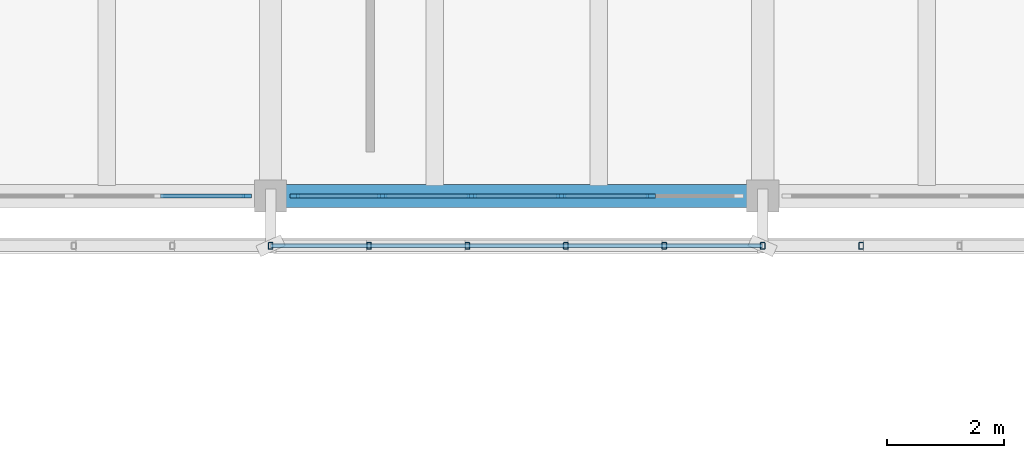
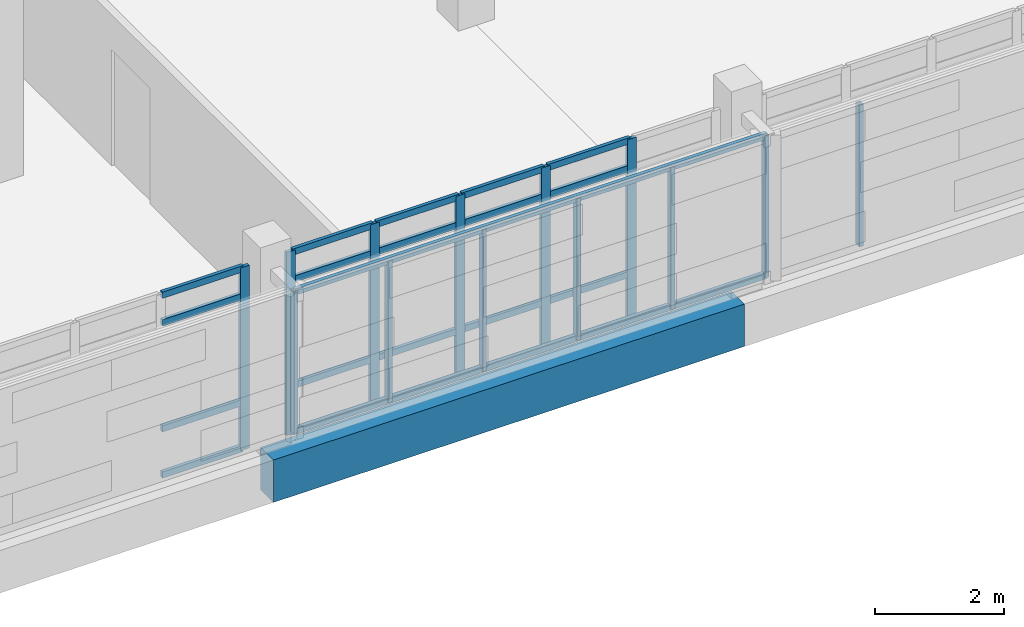
# One storey, part 43 of 117: 35 members, 1 beam, 2 elements without a shape of their own.
"""IFC4 building model written with IfcOpenShell, lengths in metres."""

from ifc_helpers import new_model, si_unit, direction, frame, origin, origin_2d, place, context, subcontext, project, spatial, rectangle, hollow_rectangle, extrude, material, material_profile, profile_set, type_object, element, aggregate, save


model = new_model("IFC4")

# Units and contexts
model_context = context("Model", 3, precision=1e-05, world=origin(), true_north=direction((0.0, 1.0)))
body_context = subcontext(model_context, "Body", "Model", "MODEL_VIEW")
ifc_project = project(units=[si_unit("LENGTHUNIT", "METRE"), si_unit("AREAUNIT", "SQUARE_METRE"), si_unit("VOLUMEUNIT", "CUBIC_METRE"), si_unit("PLANEANGLEUNIT", "RADIAN"), si_unit("MASSUNIT", "GRAM", prefix="KILO")], contexts=[model_context])

# Site, building, storey
site_placement = place(None, origin())
site = spatial("IfcSite", under=ifc_project, at=site_placement, CompositionType="ELEMENT")
building_placement = place(site_placement, origin())
building = spatial("IfcBuilding", under=site, at=building_placement, Name="Cinderway Yard Community Centre", CompositionType="ELEMENT")
storey_placement = place(building_placement, frame((0.0, 0.0, 9.0)))
storey = spatial("IfcBuildingStorey", under=building, at=storey_placement, Name="L02", CompositionType="ELEMENT", Elevation=9.0)

# Curtain wall, member
ifc_material_1 = material(Name="Aluminium 6063-T6", Category="aluminium")
curtain_wall_type = type_object("IfcCurtainWallType", Name="ENV-CW-TYPE-29", PredefinedType="USERDEFINED", material=ifc_material_1)
curtain_wall_1_placement = place(storey_placement, origin())
curtain_wall_1 = element("IfcCurtainWall", 1, at=curtain_wall_1_placement, inside=storey, type_object=curtain_wall_type, Name="V4 Courtyard Curtain Wall ENV-CW-L02-ST-0144", ObjectType="GLAZED CURTAIN WALL", PredefinedType="USERDEFINED")
ifc_material_profile_1 = material_profile(ifc_material_1, rectangle(XDim=0.06005859375, YDim=0.159912109375, at=origin_2d()), Name="Aluminium 6063-T6")
ifc_profile_set_1 = profile_set([ifc_material_profile_1], Name="Aluminium 6063-T6")
member_type_1 = type_object("IfcMemberType", Name="ENV-CW-MULL-150", PredefinedType="MULLION", material=ifc_profile_set_1)
member_1_placement = place(storey_placement, frame((57.989990234375, 90.0, 0.0), z_axis=(0.0, 0.0, 1.0), x_axis=(0.0, 1.0, 0.0)))
member_1 = element("IfcMember", 2, at=member_1_placement, type_object=member_type_1, Name="CW-29 mullion 6", PredefinedType="MULLION", context=body_context, shape_type="SweptSolid", body=[
    extrude(rectangle(XDim=0.06005859375, YDim=0.159912109375, at=origin_2d()), origin(), (0.0, 0.0, 1.0), 3.449951171875),
])

# Curtain wall, members
curtain_wall_2_placement = place(storey_placement, origin())
curtain_wall_2 = element("IfcCurtainWall", 3, at=curtain_wall_2_placement, inside=storey, type_object=curtain_wall_type, Name="V4 Courtyard Curtain Wall ENV-CW-L02-ST-0146", ObjectType="GLAZED CURTAIN WALL", PredefinedType="USERDEFINED")
member_2_placement = place(storey_placement, frame((58.81005859375, 90.0, 0.0), z_axis=(0.0, 0.0, 1.0), x_axis=(0.0, 1.0, 0.0)))
member_2 = element("IfcMember", 4, at=member_2_placement, type_object=member_type_1, Name="CW-29 mullion 1", PredefinedType="MULLION", context=body_context, shape_type="SweptSolid", body=[
    extrude(rectangle(XDim=0.06005859375, YDim=0.159912109375, at=origin_2d()), origin(), (0.0, 0.0, 1.0), 3.449951171875),
])
member_3_placement = place(storey_placement, frame((60.30810546875, 90.0, 0.0), z_axis=(0.0, 0.0, 1.0), x_axis=(0.0, 1.0, 0.0)))
member_3 = element("IfcMember", 5, at=member_3_placement, type_object=member_type_1, Name="CW-29 mullion 2", PredefinedType="MULLION", context=body_context, shape_type="SweptSolid", body=[
    extrude(rectangle(XDim=0.06005859375, YDim=0.159912109375, at=origin_2d()), origin(), (0.0, 0.0, 1.0), 3.449951171875),
])
member_4_placement = place(storey_placement, frame((61.8359375, 90.0, 0.0), z_axis=(0.0, 0.0, 1.0), x_axis=(0.0, 1.0, 0.0)))
member_4 = element("IfcMember", 6, at=member_4_placement, type_object=member_type_1, Name="CW-29 mullion 3", PredefinedType="MULLION", context=body_context, shape_type="SweptSolid", body=[
    extrude(rectangle(XDim=0.06005859375, YDim=0.159912109375, at=origin_2d()), origin(), (0.0, 0.0, 1.0), 3.449951171875),
])
member_5_placement = place(storey_placement, frame((63.364013671875, 90.0, 0.0), z_axis=(0.0, 0.0, 1.0), x_axis=(0.0, 1.0, 0.0)))
member_5 = element("IfcMember", 7, at=member_5_placement, type_object=member_type_1, Name="CW-29 mullion 4", PredefinedType="MULLION", context=body_context, shape_type="SweptSolid", body=[
    extrude(rectangle(XDim=0.06005859375, YDim=0.159912109375, at=origin_2d()), origin(), (0.0, 0.0, 1.0), 3.449951171875),
])
member_6_placement = place(storey_placement, frame((64.89208984375, 90.0, 0.0), z_axis=(0.0, 0.0, 1.0), x_axis=(0.0, 1.0, 0.0)))
member_6 = element("IfcMember", 8, at=member_6_placement, type_object=member_type_1, Name="CW-29 mullion 5", PredefinedType="MULLION", context=body_context, shape_type="SweptSolid", body=[
    extrude(rectangle(XDim=0.06005859375, YDim=0.159912109375, at=origin_2d()), origin(), (0.0, 0.0, 1.0), 3.449951171875),
])

# Member
ifc_material_profile_2 = material_profile(ifc_material_1, rectangle(XDim=0.06005859375, YDim=0.1201171875, at=origin_2d()), Name="Aluminium 6063-T6")
ifc_profile_set_2 = profile_set([ifc_material_profile_2], Name="Aluminium 6063-T6")
member_type_2 = type_object("IfcMemberType", Name="ENV-CW-TRAN-110", PredefinedType="USERDEFINED", material=ifc_profile_set_2)
member_7_placement = place(storey_placement, frame((56.52197265625, 90.0, 0.030029296875), z_axis=(1.0, 0.0, 0.0), x_axis=(0.0, 1.0, 0.0)))
member_7 = element("IfcMember", 9, at=member_7_placement, type_object=member_type_2, Name="CW-29 transom 5.1", ObjectType="TRANSOM", PredefinedType="USERDEFINED", context=body_context, shape_type="SweptSolid", body=[
    extrude(rectangle(XDim=0.06005859375, YDim=0.1201171875, at=origin_2d()), origin(), (0.0, 0.0, 1.0), 1.43798828125),
])

member_8_placement = place(storey_placement, frame((56.52197265625, 90.0, 0.89990234375), z_axis=(1.0, 0.0, 0.0), x_axis=(0.0, 1.0, 0.0)))
member_8 = element("IfcMember", 10, at=member_8_placement, type_object=member_type_2, Name="CW-29 transom 5.2", ObjectType="TRANSOM", PredefinedType="USERDEFINED", context=body_context, shape_type="SweptSolid", body=[
    extrude(rectangle(XDim=0.06005859375, YDim=0.1201171875, at=origin_2d()), origin(), (0.0, 0.0, 1.0), 1.43798828125),
])

member_9_placement = place(storey_placement, frame((56.52197265625, 90.0, 2.89990234375), z_axis=(1.0, 0.0, 0.0), x_axis=(0.0, 1.0, 0.0)))
member_9 = element("IfcMember", 11, at=member_9_placement, type_object=member_type_2, Name="CW-29 transom 5.3", ObjectType="TRANSOM", PredefinedType="USERDEFINED", context=body_context, shape_type="SweptSolid", body=[
    extrude(rectangle(XDim=0.06005859375, YDim=0.1201171875, at=origin_2d()), origin(), (0.0, 0.0, 1.0), 1.43798828125),
])

member_10_placement = place(storey_placement, frame((56.52197265625, 90.0, 3.419921875), z_axis=(1.0, 0.0, 0.0), x_axis=(0.0, 1.0, 0.0)))
member_10 = element("IfcMember", 12, at=member_10_placement, type_object=member_type_2, Name="CW-29 transom 5.4", ObjectType="TRANSOM", PredefinedType="USERDEFINED", context=body_context, shape_type="SweptSolid", body=[
    extrude(rectangle(XDim=0.06005859375, YDim=0.1201171875, at=origin_2d()), origin(), (0.0, 0.0, 1.0), 1.43798828125),
])

aggregate(curtain_wall_1, [member_1, member_7, member_8, member_9, member_10])

member_11_placement = place(storey_placement, frame((58.840087890625, 90.0, 0.030029296875), z_axis=(1.0, 0.0, 0.0), x_axis=(0.0, 1.0, 0.0)))
member_11 = element("IfcMember", 13, at=member_11_placement, type_object=member_type_2, Name="CW-29 transom 1.1", ObjectType="TRANSOM", PredefinedType="USERDEFINED", context=body_context, shape_type="SweptSolid", body=[
    extrude(rectangle(XDim=0.06005859375, YDim=0.1201171875, at=origin_2d()), origin(), (0.0, 0.0, 1.0), 1.43798828125),
])

member_12_placement = place(storey_placement, frame((58.840087890625, 90.0, 0.89990234375), z_axis=(1.0, 0.0, 0.0), x_axis=(0.0, 1.0, 0.0)))
member_12 = element("IfcMember", 14, at=member_12_placement, type_object=member_type_2, Name="CW-29 transom 1.2", ObjectType="TRANSOM", PredefinedType="USERDEFINED", context=body_context, shape_type="SweptSolid", body=[
    extrude(rectangle(XDim=0.06005859375, YDim=0.1201171875, at=origin_2d()), origin(), (0.0, 0.0, 1.0), 1.43798828125),
])

member_13_placement = place(storey_placement, frame((58.840087890625, 90.0, 2.89990234375), z_axis=(1.0, 0.0, 0.0), x_axis=(0.0, 1.0, 0.0)))
member_13 = element("IfcMember", 15, at=member_13_placement, type_object=member_type_2, Name="CW-29 transom 1.3", ObjectType="TRANSOM", PredefinedType="USERDEFINED", context=body_context, shape_type="SweptSolid", body=[
    extrude(rectangle(XDim=0.06005859375, YDim=0.1201171875, at=origin_2d()), origin(), (0.0, 0.0, 1.0), 1.43798828125),
])

member_14_placement = place(storey_placement, frame((58.840087890625, 90.0, 3.419921875), z_axis=(1.0, 0.0, 0.0), x_axis=(0.0, 1.0, 0.0)))
member_14 = element("IfcMember", 16, at=member_14_placement, type_object=member_type_2, Name="CW-29 transom 1.4", ObjectType="TRANSOM", PredefinedType="USERDEFINED", context=body_context, shape_type="SweptSolid", body=[
    extrude(rectangle(XDim=0.06005859375, YDim=0.1201171875, at=origin_2d()), origin(), (0.0, 0.0, 1.0), 1.43798828125),
])

member_15_placement = place(storey_placement, frame((60.337890625, 90.0, 0.030029296875), z_axis=(1.0, 0.0, 0.0), x_axis=(0.0, 1.0, 0.0)))
member_15 = element("IfcMember", 17, at=member_15_placement, type_object=member_type_2, Name="CW-29 transom 2.1", ObjectType="TRANSOM", PredefinedType="USERDEFINED", context=body_context, shape_type="SweptSolid", body=[
    extrude(rectangle(XDim=0.06005859375, YDim=0.1201171875, at=origin_2d()), origin(), (0.0, 0.0, 1.0), 1.468017578125),
])

member_16_placement = place(storey_placement, frame((60.337890625, 90.0, 0.89990234375), z_axis=(1.0, 0.0, 0.0), x_axis=(0.0, 1.0, 0.0)))
member_16 = element("IfcMember", 18, at=member_16_placement, type_object=member_type_2, Name="CW-29 transom 2.2", ObjectType="TRANSOM", PredefinedType="USERDEFINED", context=body_context, shape_type="SweptSolid", body=[
    extrude(rectangle(XDim=0.06005859375, YDim=0.1201171875, at=origin_2d()), origin(), (0.0, 0.0, 1.0), 1.468017578125),
])

member_17_placement = place(storey_placement, frame((60.337890625, 90.0, 2.89990234375), z_axis=(1.0, 0.0, 0.0), x_axis=(0.0, 1.0, 0.0)))
member_17 = element("IfcMember", 19, at=member_17_placement, type_object=member_type_2, Name="CW-29 transom 2.3", ObjectType="TRANSOM", PredefinedType="USERDEFINED", context=body_context, shape_type="SweptSolid", body=[
    extrude(rectangle(XDim=0.06005859375, YDim=0.1201171875, at=origin_2d()), origin(), (0.0, 0.0, 1.0), 1.468017578125),
])

member_18_placement = place(storey_placement, frame((60.337890625, 90.0, 3.419921875), z_axis=(1.0, 0.0, 0.0), x_axis=(0.0, 1.0, 0.0)))
member_18 = element("IfcMember", 20, at=member_18_placement, type_object=member_type_2, Name="CW-29 transom 2.4", ObjectType="TRANSOM", PredefinedType="USERDEFINED", context=body_context, shape_type="SweptSolid", body=[
    extrude(rectangle(XDim=0.06005859375, YDim=0.1201171875, at=origin_2d()), origin(), (0.0, 0.0, 1.0), 1.468017578125),
])

member_19_placement = place(storey_placement, frame((61.865966796875, 90.0, 0.030029296875), z_axis=(1.0, 0.0, 0.0), x_axis=(0.0, 1.0, 0.0)))
member_19 = element("IfcMember", 21, at=member_19_placement, type_object=member_type_2, Name="CW-29 transom 3.1", ObjectType="TRANSOM", PredefinedType="USERDEFINED", context=body_context, shape_type="SweptSolid", body=[
    extrude(rectangle(XDim=0.06005859375, YDim=0.1201171875, at=origin_2d()), origin(), (0.0, 0.0, 1.0), 1.468017578125),
])

member_20_placement = place(storey_placement, frame((61.865966796875, 90.0, 0.89990234375), z_axis=(1.0, 0.0, 0.0), x_axis=(0.0, 1.0, 0.0)))
member_20 = element("IfcMember", 22, at=member_20_placement, type_object=member_type_2, Name="CW-29 transom 3.2", ObjectType="TRANSOM", PredefinedType="USERDEFINED", context=body_context, shape_type="SweptSolid", body=[
    extrude(rectangle(XDim=0.06005859375, YDim=0.1201171875, at=origin_2d()), origin(), (0.0, 0.0, 1.0), 1.468017578125),
])

member_21_placement = place(storey_placement, frame((61.865966796875, 90.0, 2.89990234375), z_axis=(1.0, 0.0, 0.0), x_axis=(0.0, 1.0, 0.0)))
member_21 = element("IfcMember", 23, at=member_21_placement, type_object=member_type_2, Name="CW-29 transom 3.3", ObjectType="TRANSOM", PredefinedType="USERDEFINED", context=body_context, shape_type="SweptSolid", body=[
    extrude(rectangle(XDim=0.06005859375, YDim=0.1201171875, at=origin_2d()), origin(), (0.0, 0.0, 1.0), 1.468017578125),
])

member_22_placement = place(storey_placement, frame((61.865966796875, 90.0, 3.419921875), z_axis=(1.0, 0.0, 0.0), x_axis=(0.0, 1.0, 0.0)))
member_22 = element("IfcMember", 24, at=member_22_placement, type_object=member_type_2, Name="CW-29 transom 3.4", ObjectType="TRANSOM", PredefinedType="USERDEFINED", context=body_context, shape_type="SweptSolid", body=[
    extrude(rectangle(XDim=0.06005859375, YDim=0.1201171875, at=origin_2d()), origin(), (0.0, 0.0, 1.0), 1.468017578125),
])

member_23_placement = place(storey_placement, frame((63.39404296875, 90.0, 0.030029296875), z_axis=(1.0, 0.0, 0.0), x_axis=(0.0, 1.0, 0.0)))
member_23 = element("IfcMember", 25, at=member_23_placement, type_object=member_type_2, Name="CW-29 transom 4.1", ObjectType="TRANSOM", PredefinedType="USERDEFINED", context=body_context, shape_type="SweptSolid", body=[
    extrude(rectangle(XDim=0.06005859375, YDim=0.1201171875, at=origin_2d()), origin(), (0.0, 0.0, 1.0), 1.468017578125),
])

member_24_placement = place(storey_placement, frame((63.39404296875, 90.0, 0.89990234375), z_axis=(1.0, 0.0, 0.0), x_axis=(0.0, 1.0, 0.0)))
member_24 = element("IfcMember", 26, at=member_24_placement, type_object=member_type_2, Name="CW-29 transom 4.2", ObjectType="TRANSOM", PredefinedType="USERDEFINED", context=body_context, shape_type="SweptSolid", body=[
    extrude(rectangle(XDim=0.06005859375, YDim=0.1201171875, at=origin_2d()), origin(), (0.0, 0.0, 1.0), 1.468017578125),
])

member_25_placement = place(storey_placement, frame((63.39404296875, 90.0, 2.89990234375), z_axis=(1.0, 0.0, 0.0), x_axis=(0.0, 1.0, 0.0)))
member_25 = element("IfcMember", 27, at=member_25_placement, type_object=member_type_2, Name="CW-29 transom 4.3", ObjectType="TRANSOM", PredefinedType="USERDEFINED", context=body_context, shape_type="SweptSolid", body=[
    extrude(rectangle(XDim=0.06005859375, YDim=0.1201171875, at=origin_2d()), origin(), (0.0, 0.0, 1.0), 1.468017578125),
])

member_26_placement = place(storey_placement, frame((63.39404296875, 90.0, 3.419921875), z_axis=(1.0, 0.0, 0.0), x_axis=(0.0, 1.0, 0.0)))
member_26 = element("IfcMember", 28, at=member_26_placement, type_object=member_type_2, Name="CW-29 transom 4.4", ObjectType="TRANSOM", PredefinedType="USERDEFINED", context=body_context, shape_type="SweptSolid", body=[
    extrude(rectangle(XDim=0.06005859375, YDim=0.1201171875, at=origin_2d()), origin(), (0.0, 0.0, 1.0), 1.468017578125),
])

aggregate(curtain_wall_2, [member_2, member_3, member_4, member_5, member_6, member_11, member_12, member_13, member_14, member_15, member_16, member_17, member_18, member_19, member_20, member_21, member_22, member_23, member_24, member_25, member_26])

# Members
ifc_material_2 = material(Name="Steel S355", Category="steel")
ifc_material_profile_3 = material_profile(ifc_material_2, hollow_rectangle(XDim=0.080078125, YDim=0.1201171875, WallThickness=0.00634765625, InnerFilletRadius=0.00634765625, OuterFilletRadius=0.0126953125, at=origin_2d()), Name="Steel S355")
ifc_profile_set_3 = profile_set([ifc_material_profile_3], Name="Steel S355")
member_type_3 = type_object("IfcMemberType", Name="ENV-MEM-SCREEN-RAIL-120", PredefinedType="STRINGER", material=ifc_profile_set_3)
member_27_placement = place(storey_placement, frame((58.39990234375, 89.14990234375, 0.68994140625), z_axis=(0.0, 0.0, 1.0), x_axis=(1.0, 0.0, 0.0)))
element("IfcMember", 29, at=member_27_placement, inside=storey, type_object=member_type_3, Name="Screen vertical mullion 0429", PredefinedType="STRINGER", context=body_context, shape_type="SweptSolid", body=[
    extrude(hollow_rectangle(XDim=0.080078125, YDim=0.1201171875, WallThickness=0.00634765625, InnerFilletRadius=0.00634765625, OuterFilletRadius=0.0126953125, at=origin_2d()), origin(), (0.0, 0.0, 1.0), 2.670166015625),
])
for number, where, z_axis, x_axis, name in (
    (30, (58.39990234375, 89.14990234375, 0.7099609375), (1.0, 0.0, 0.0), (0.0, 1.0, 0.0), "Screen support rail 0431-BOT"),
    (31, (58.39990234375, 89.14990234375, 3.340087890625), (1.0, 0.0, 0.0), (0.0, 1.0, 0.0), "Screen support rail 0432-TOP"),
):
    element("IfcMember", number, at=place(storey_placement, frame(where, z_axis=z_axis, x_axis=x_axis)), inside=storey, type_object=member_type_3, Name=name, PredefinedType="STRINGER", context=body_context, shape_type="SweptSolid", body=[
        extrude(hollow_rectangle(XDim=0.080078125, YDim=0.1201171875, WallThickness=0.00634765625, InnerFilletRadius=0.00634765625, OuterFilletRadius=0.0126953125, at=origin_2d()), origin(), (0.0, 0.0, 1.0), 8.400146484375),
    ])
for number, where, z_axis, x_axis, name in (
    (32, (60.080078125, 89.14990234375, 0.68994140625), (0.0, 0.0, 1.0), (1.0, 0.0, 0.0), "Screen vertical mullion 0433"),
    (33, (61.760009765625, 89.14990234375, 0.68994140625), (0.0, 0.0, 1.0), (1.0, 0.0, 0.0), "Screen vertical mullion 0434"),
    (34, (63.43994140625, 89.14990234375, 0.68994140625), (0.0, 0.0, 1.0), (1.0, 0.0, 0.0), "Screen vertical mullion 0435"),
    (35, (65.1201171875, 89.14990234375, 0.68994140625), (0.0, 0.0, 1.0), (1.0, 0.0, 0.0), "Screen vertical mullion 0436"),
    (36, (66.800048828125, 89.14990234375, 0.68994140625), (0.0, 0.0, 1.0), (1.0, 0.0, 0.0), "Screen vertical mullion 0437"),
    (37, (68.47998046875, 89.14990234375, 0.68994140625), (0.0, 0.0, 1.0), (1.0, 0.0, 0.0), "Screen vertical mullion 0441"),
):
    element("IfcMember", number, at=place(storey_placement, frame(where, z_axis=z_axis, x_axis=x_axis)), inside=storey, type_object=member_type_3, Name=name, PredefinedType="STRINGER", context=body_context, shape_type="SweptSolid", body=[
        extrude(hollow_rectangle(XDim=0.080078125, YDim=0.1201171875, WallThickness=0.00634765625, InnerFilletRadius=0.00634765625, OuterFilletRadius=0.0126953125, at=origin_2d()), origin(), (0.0, 0.0, 1.0), 2.670166015625),
    ])

# Beam
ifc_material_3 = material(Name="Concrete C40/50", Category="concrete")
ifc_material_profile_4 = material_profile(ifc_material_3, rectangle(XDim=0.39990234375, YDim=0.800048828125, at=origin_2d()), Name="Concrete C40/50")
ifc_profile_set_4 = profile_set([ifc_material_profile_4], Name="Concrete C40/50")
beam_type = type_object("IfcBeamType", Name="STR-BM-RC400X800", PredefinedType="BEAM", material=ifc_profile_set_4)
beam_placement = place(storey_placement, frame((58.39990234375, 90.0, -0.639892578125), z_axis=(1.0, 0.0, 0.0), x_axis=(0.0, 1.0, 0.0)))
element("IfcBeam", 38, at=beam_placement, inside=storey, type_object=beam_type, Name="Primary girder STR-BM-L02-BG05-0498", PredefinedType="BEAM", context=body_context, shape_type="SweptSolid", body=[
    extrude(rectangle(XDim=0.39990234375, YDim=0.800048828125, at=origin_2d()), origin(), (0.0, 0.0, 1.0), 8.400146484375),
])

save(model, "model.ifc")
